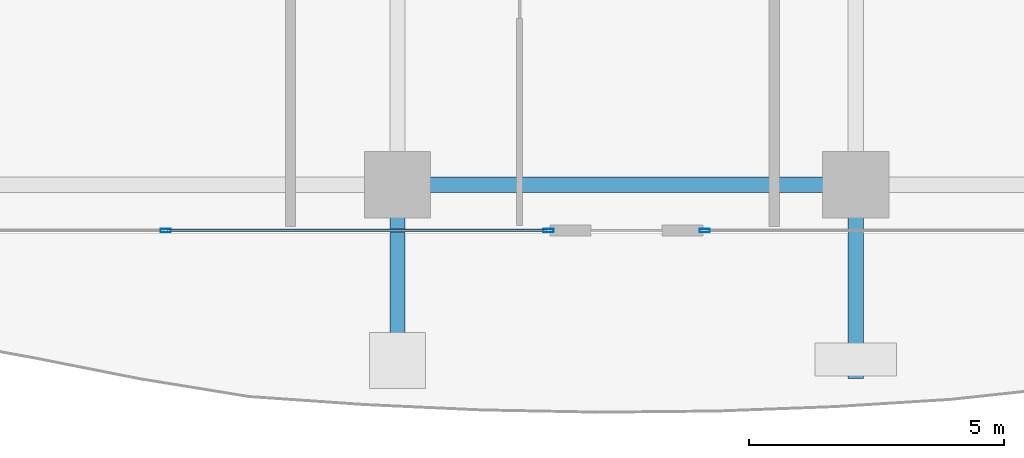
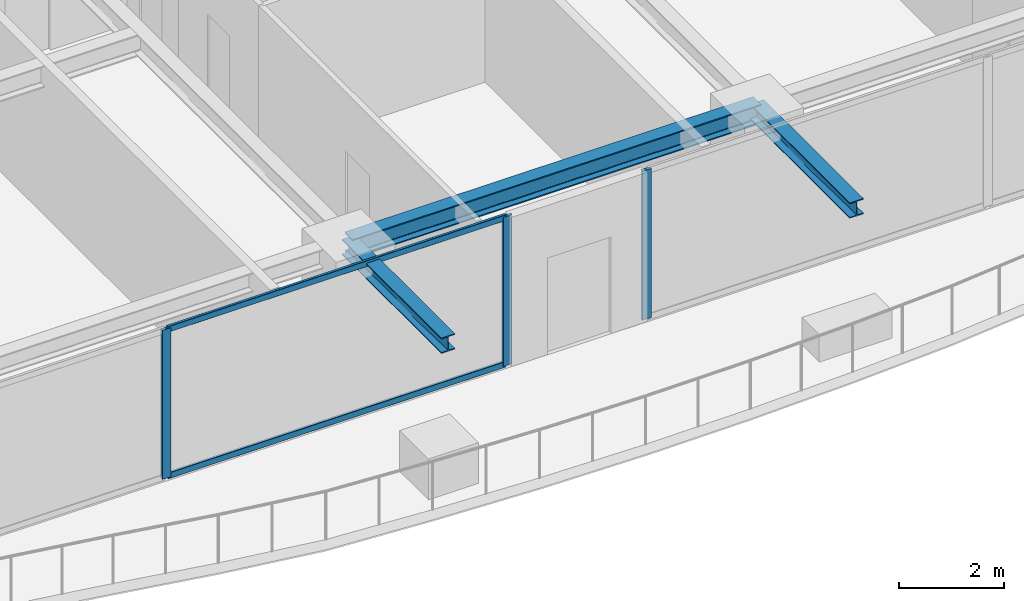
# One storey, part 5 of 35: 5 members, 3 beams, 2 elements without a shape of their own.
"""IFC4 building model written with IfcOpenShell, lengths in metres."""

from ifc_helpers import new_model, si_unit, direction, frame, origin, origin_2d, place, context, subcontext, project, spatial, hollow_rectangle, i_section, extrude, source, transform, mapped, material, layer, layer_set, material_profile, profile_set, type_object, element, aggregate, save


model = new_model("IFC4")

# Units and contexts
model_context = context("Model", 3, precision=1e-05, world=origin(), true_north=direction((0.0, 1.0)))
body_context = subcontext(model_context, "Body", "Model", "MODEL_VIEW")
ifc_project = project(units=[si_unit("LENGTHUNIT", "METRE"), si_unit("AREAUNIT", "SQUARE_METRE"), si_unit("VOLUMEUNIT", "CUBIC_METRE"), si_unit("PLANEANGLEUNIT", "RADIAN"), si_unit("MASSUNIT", "GRAM", prefix="KILO")], contexts=[model_context])

# Site, building, storey
site_placement = place(None, origin())
site = spatial("IfcSite", under=ifc_project, at=site_placement, CompositionType="ELEMENT")
building_placement = place(site_placement, origin())
building = spatial("IfcBuilding", under=site, at=building_placement, Name="Serunith Strait Residences", CompositionType="ELEMENT")
storey_placement = place(building_placement, frame((0.0, 0.0, 172.64990234375)))
storey = spatial("IfcBuildingStorey", under=building, at=storey_placement, Name="L43", CompositionType="ELEMENT", Elevation=172.64990234375)

# Beams
ifc_material_1 = material(Name="Steel S355J2", Category="steel")
ifc_material_profile_1 = material_profile(ifc_material_1, i_section(OverallWidth=0.300048828125, OverallDepth=0.449951171875, WebThickness=0.013916015625, FlangeThickness=0.02587890625, FilletRadius=0.027099609375, at=origin_2d()), Name="HEB 450")
ifc_profile_set_1 = profile_set([ifc_material_profile_1], Name="Steel S355J2")
beam_type_1 = type_object("IfcBeamType", Name="BM-HEB450", PredefinedType="BEAM", material=ifc_profile_set_1)
shared_shape_1 = source(origin(), body_context, "Body", "SweptSolid", [
    extrude(i_section(OverallWidth=0.300048828125, OverallDepth=0.449951171875, WebThickness=0.013916015625, FlangeThickness=0.02587890625, FilletRadius=0.027099609375, at=origin_2d()), origin(), (0.0, 0.0, 1.0), 9.0),
])
beam_placement = place(storey_placement, frame((27.89990234375, 2.300048828125, 3.26220703125), z_axis=(1.0, 0.0, 0.0), x_axis=(0.0, 1.0, 0.0)))
element("IfcBeam", 1, at=beam_placement, inside=storey, type_object=beam_type_1, Name="L43 Perimeter Ring Beam 02", PredefinedType="BEAM", context=body_context, shape_type="MappedRepresentation", body=[
    mapped(shared_shape_1, transform((0.0, 0.0, 0.0), scale=1.0)),
])
ifc_material_profile_2 = material_profile(ifc_material_1, i_section(OverallWidth=0.300048828125, OverallDepth=0.360107421875, WebThickness=0.012451171875, FlangeThickness=0.0224609375, FilletRadius=0.027099609375, at=origin_2d()), Name="HEB 360")
ifc_profile_set_2 = profile_set([ifc_material_profile_2], Name="Steel S355J2")
beam_type_2 = type_object("IfcBeamType", Name="BM-HEB360", PredefinedType="BEAM", material=ifc_profile_set_2)
shared_shape_2 = source(origin(), body_context, "Body", "SweptSolid", [
    extrude(i_section(OverallWidth=0.300048828125, OverallDepth=0.360107421875, WebThickness=0.012451171875, FlangeThickness=0.0224609375, FilletRadius=0.027099609375, at=origin_2d()), origin(), (0.0, 0.0, 1.0), 3.800048828125),
])
for number, where, z_axis, x_axis, name in (
    (2, (27.89990234375, 2.300048828125, 3.277099609375), (0.0, -1.0, 0.0), (1.0, 0.0, 0.0), "L44 Cantilevered Balcony Rib TC-S2"),
    (3, (36.89990234375, 2.300048828125, 3.277099609375), (0.0, -1.0, 0.0), (1.0, 0.0, 0.0), "L44 Cantilevered Balcony Rib TC-S3"),
):
    element("IfcBeam", number, at=place(storey_placement, frame(where, z_axis=z_axis, x_axis=x_axis)), inside=storey, type_object=beam_type_2, Name=name, PredefinedType="BEAM", context=body_context, shape_type="MappedRepresentation", body=[
        mapped(shared_shape_2, transform((0.0, 0.0, 0.0), scale=1.0)),
    ])

# Curtain wall, members
ifc_material_2 = material(Name="Pale-Champagne Anodised Aluminium", Category="aluminium")
ifc_layer = layer(ifc_material_2, 0.199951171875, Name="Pale-Champagne Anodised Aluminium")
ifc_layer_set = layer_set([ifc_layer], Name="Pale-Champagne Anodised Aluminium")
curtain_wall_type = type_object("IfcCurtainWallType", Name="CW-SYS2", PredefinedType="NOTDEFINED", material=ifc_layer_set)
curtain_wall_1_placement = place(storey_placement, origin())
curtain_wall_1 = element("IfcCurtainWall", 4, at=curtain_wall_1_placement, inside=storey, type_object=curtain_wall_type, Name="L43 S Unitised Fritted Curtain Wall", PredefinedType="NOTDEFINED")
ifc_material_profile_3 = material_profile(ifc_material_2, hollow_rectangle(XDim=0.070068359375, YDim=0.199951171875, WallThickness=0.00390625, InnerFilletRadius=0.006103515625, OuterFilletRadius=0.010009765625, at=origin_2d()), Name="ALU 200x70x4")
ifc_profile_set_3 = profile_set([ifc_material_profile_3], Name="Pale-Champagne Anodised Aluminium")
member_type_1 = type_object("IfcMemberType", Name="CW-SYS2-MULL", PredefinedType="MULLION", material=ifc_profile_set_3)
shared_shape_3 = source(origin(), body_context, "Body", "SweptSolid", [
    extrude(hollow_rectangle(XDim=0.070068359375, YDim=0.199951171875, WallThickness=0.00390625, InnerFilletRadius=0.006103515625, OuterFilletRadius=0.010009765625, at=origin_2d()), origin(), (0.0, 0.0, 1.0), 3.47509765625),
])
member_1_placement = place(storey_placement, frame((23.35009765625, 1.39990234375, 0.0), z_axis=(0.0, 0.0, 1.0), x_axis=(0.0, 1.0, 0.0)))
member_1 = element("IfcMember", 5, at=member_1_placement, type_object=member_type_1, Name="CW-2 mullion 2", PredefinedType="MULLION", context=body_context, shape_type="MappedRepresentation", body=[
    mapped(shared_shape_3, transform((0.0, 0.0, 0.0), scale=1.0)),
])
member_2_placement = place(storey_placement, frame((30.864990234375, 1.39990234375, 0.0), z_axis=(0.0, 0.0, 1.0), x_axis=(0.0, 1.0, 0.0)))
member_2 = element("IfcMember", 6, at=member_2_placement, type_object=member_type_1, Name="CW-2 mullion 3", PredefinedType="MULLION", context=body_context, shape_type="MappedRepresentation", body=[
    mapped(shared_shape_3, transform((0.0, 0.0, 0.0), scale=1.0)),
])

# Curtain wall, member
curtain_wall_2_placement = place(storey_placement, origin())
curtain_wall_2 = element("IfcCurtainWall", 7, at=curtain_wall_2_placement, inside=storey, type_object=curtain_wall_type, Name="L43 S Unitised Fritted Curtain Wall", PredefinedType="NOTDEFINED")
member_3_placement = place(storey_placement, frame((33.93505859375, 1.39990234375, 0.0), z_axis=(0.0, 0.0, 1.0), x_axis=(0.0, 1.0, 0.0)))
member_3 = element("IfcMember", 8, at=member_3_placement, type_object=member_type_1, Name="CW-2 mullion 1", PredefinedType="MULLION", context=body_context, shape_type="MappedRepresentation", body=[
    mapped(shared_shape_3, transform((0.0, 0.0, 0.0), scale=1.0)),
])
aggregate(curtain_wall_2, [member_3])

# Member
ifc_material_profile_4 = material_profile(ifc_material_2, hollow_rectangle(XDim=0.06005859375, YDim=0.139892578125, WallThickness=0.00341796875, InnerFilletRadius=0.00537109375, OuterFilletRadius=0.0087890625, at=origin_2d()), Name="ALU 140x60x3.5")
ifc_profile_set_4 = profile_set([ifc_material_profile_4], Name="Pale-Champagne Anodised Aluminium")
member_type_2 = type_object("IfcMemberType", Name="CW-SYS2-TRAN", PredefinedType="USERDEFINED", material=ifc_profile_set_4)
shared_shape_4 = source(origin(), body_context, "Body", "SweptSolid", [
    extrude(hollow_rectangle(XDim=0.06005859375, YDim=0.139892578125, WallThickness=0.00341796875, InnerFilletRadius=0.00537109375, OuterFilletRadius=0.0087890625, at=origin_2d()), origin(), (0.0, 0.0, 1.0), 7.445068359375),
])
member_4_placement = place(storey_placement, frame((23.385009765625, 1.39990234375, 0.030029296875), z_axis=(1.0, 0.0, 0.0), x_axis=(0.0, 1.0, 0.0)))
member_4 = element("IfcMember", 9, at=member_4_placement, type_object=member_type_2, Name="CW-2 transom 2.1", ObjectType="TRANSOM", PredefinedType="USERDEFINED", context=body_context, shape_type="MappedRepresentation", body=[
    mapped(shared_shape_4, transform((0.0, 0.0, 0.0), scale=1.0)),
])

member_5_placement = place(storey_placement, frame((23.385009765625, 1.39990234375, 3.445068359375), z_axis=(1.0, 0.0, 0.0), x_axis=(0.0, 1.0, 0.0)))
member_5 = element("IfcMember", 10, at=member_5_placement, type_object=member_type_2, Name="CW-2 transom 2.2", ObjectType="TRANSOM", PredefinedType="USERDEFINED", context=body_context, shape_type="MappedRepresentation", body=[
    mapped(shared_shape_4, transform((0.0, 0.0, 0.0), scale=1.0)),
])

aggregate(curtain_wall_1, [member_1, member_2, member_4, member_5])

save(model, "model.ifc")
